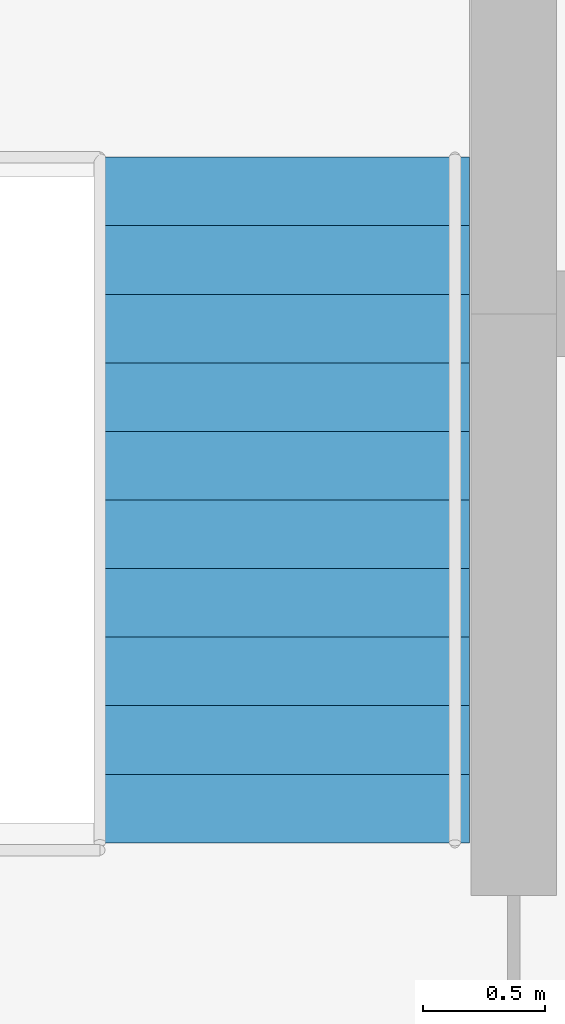
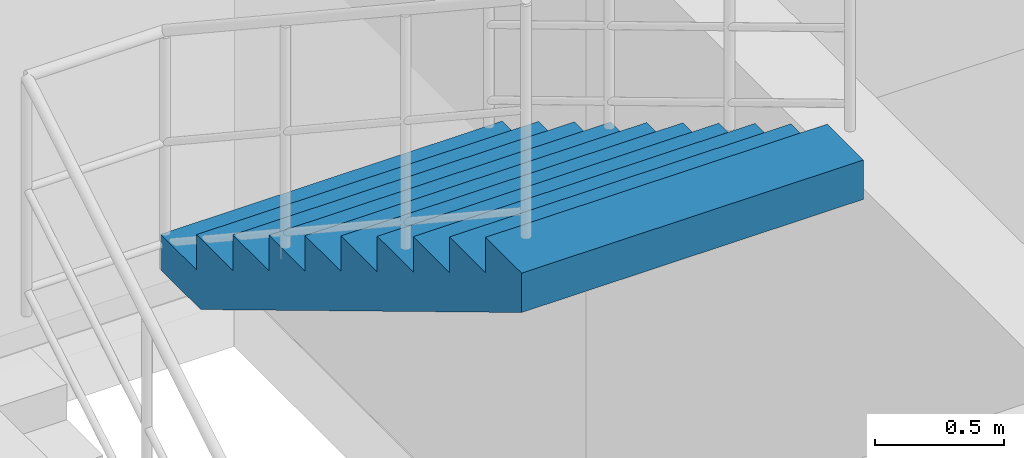
# One storey, part 28 of 29: 1 stair flight, 1 element without a shape of its own.
"""IFC4 building model written with IfcOpenShell, lengths in metres."""

from ifc_helpers import new_model, si_unit, direction, frame, origin, place, context, subcontext, project, spatial, polyline, outline, extrude, material, type_object, element, aggregate, save


model = new_model("IFC4")

# Units and contexts
model_context = context("Model", 3, precision=1e-05, world=origin(), true_north=direction((0.0, 1.0)))
body_context = subcontext(model_context, "Body", "Model", "MODEL_VIEW")
ifc_project = project(units=[si_unit("LENGTHUNIT", "METRE"), si_unit("AREAUNIT", "SQUARE_METRE"), si_unit("VOLUMEUNIT", "CUBIC_METRE"), si_unit("PLANEANGLEUNIT", "RADIAN"), si_unit("MASSUNIT", "GRAM", prefix="KILO")], contexts=[model_context])

# Site, building, storey
site_placement = place(None, origin())
site = spatial("IfcSite", under=ifc_project, at=site_placement, CompositionType="ELEMENT")
building_placement = place(site_placement, origin())
building = spatial("IfcBuilding", under=site, at=building_placement, Name="Keshet Zoharim Tower", CompositionType="ELEMENT")
storey_placement = place(building_placement, frame((0.0, 0.0, 176.5)))
storey = spatial("IfcBuildingStorey", under=building, at=storey_placement, Name="L43", CompositionType="ELEMENT", Elevation=176.5)

# Stair, stair flight
ifc_material = material(Name="Concrete C50/60", Category="concrete")
stair_type = type_object("IfcStairType", Name="STR-EXIT-135", PredefinedType="HALF_TURN_STAIR", material=ifc_material)
stair_placement = place(storey_placement, origin())
stair = element("IfcStair", 1, at=stair_placement, inside=storey, type_object=stair_type, Name="L43 Enclosed Exit Stair ST-02", PredefinedType="HALF_TURN_STAIR")
stair_flight_type = type_object("IfcStairFlightType", Name="FLT-PRE-135", PredefinedType="STRAIGHT", material=ifc_material)
stair_flight_placement = place(storey_placement, frame((18.054931640625, 35.639892578125, 1.85009765625), z_axis=(0.0, 0.0, 1.0), x_axis=(0.0, -1.0, 0.0)))
stair_flight = element("IfcStairFlight", 2, at=stair_flight_placement, type_object=stair_flight_type, Name="ST-02 flight 2", NumberOfRisers=11, NumberOfTreads=10, PredefinedType="STRAIGHT", RiserHeight=0.168182, TreadLength=0.28, context=body_context, shape_type="SweptSolid", body=[
    extrude(outline(polyline([(0.0, 0.0), (0.0, 0.168212890625), (0.280029296875, 0.168212890625), (0.280029296875, 0.33642578125), (0.56005859375, 0.33642578125), (0.56005859375, 0.504638671875), (0.840087890625, 0.504638671875), (0.840087890625, 0.672607421875), (1.1201171875, 0.672607421875), (1.1201171875, 0.8408203125), (1.39990234375, 0.8408203125), (1.39990234375, 1.009033203125), (1.679931640625, 1.009033203125), (1.679931640625, 1.17724609375), (1.9599609375, 1.17724609375), (1.9599609375, 1.345458984375), (2.239990234375, 1.345458984375), (2.239990234375, 1.513671875), (2.52001953125, 1.513671875), (2.52001953125, 1.681884765625), (2.800048828125, 1.681884765625), (2.800048828125, 1.85009765625), (2.800048828125, 1.495361328125), (0.310546875, 0.0), (0.0, 0.0)])), frame((0.0, 0.76513671875, 0.0), z_axis=(0.0, -1.0, 0.0), x_axis=(1.0, 0.0, 0.0)), (0.0, 0.0, 1.0), 1.530029296875),
])
aggregate(stair, [stair_flight])

save(model, "model.ifc")
